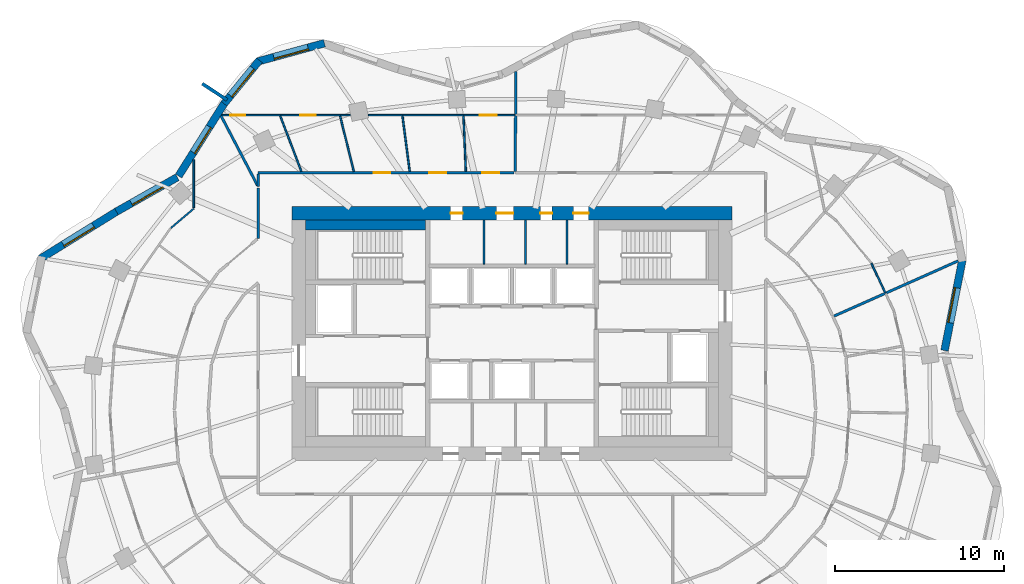
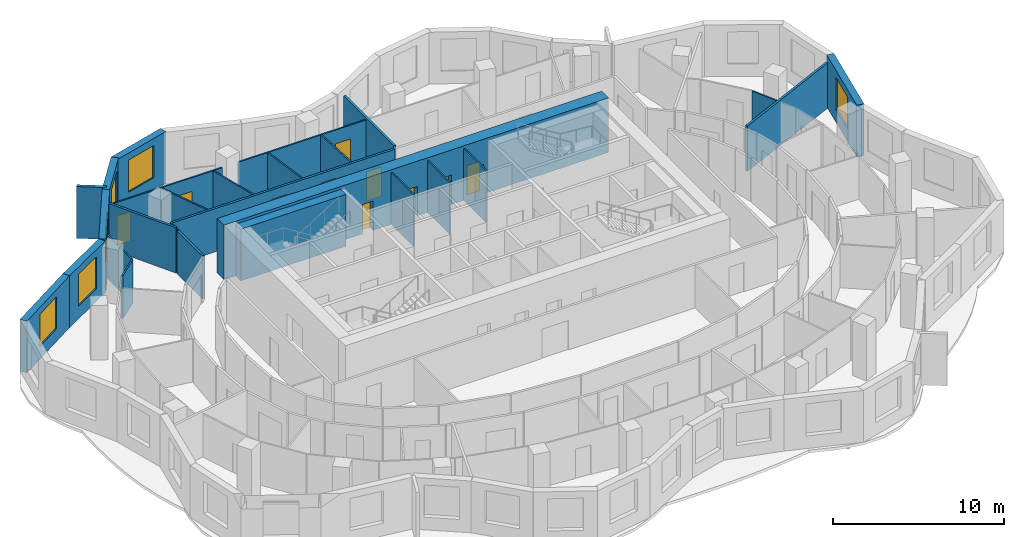
# One storey, part 8 of 11: 27 walls, 10 doors, 6 windows, 16 openings.
"""IFC4 building model written with IfcOpenShell, lengths in metres."""

from ifc_helpers import new_model, si_unit, direction, frame, frame_2d, origin, place, context, subcontext, project, spatial, rectangle, extrude, material, layer, layer_set, type_object, element, fill, save


model = new_model("IFC4")

# Units and contexts
model_context = context("Model", 3, precision=1e-05, world=origin(), true_north=direction((0.0, 1.0)))
body_context = subcontext(model_context, "Body", "Model", "MODEL_VIEW")
ifc_project = project(units=[si_unit("LENGTHUNIT", "METRE"), si_unit("AREAUNIT", "SQUARE_METRE"), si_unit("VOLUMEUNIT", "CUBIC_METRE"), si_unit("PLANEANGLEUNIT", "RADIAN"), si_unit("MASSUNIT", "GRAM", prefix="KILO")], contexts=[model_context])

# Site, building, storey
site_placement = place(None, origin())
site = spatial("IfcSite", under=ifc_project, at=site_placement, CompositionType="ELEMENT")
building_placement = place(site_placement, origin())
building = spatial("IfcBuilding", under=site, at=building_placement, Name="Rubra Terraces Tower", CompositionType="ELEMENT")
storey_placement = place(building_placement, frame((0.0, 0.0, 174.0)))
storey = spatial("IfcBuildingStorey", under=building, at=storey_placement, Name="L42", CompositionType="ELEMENT", Elevation=174.0)

# Wall, opening, window
ifc_material_1 = material(Name="Brick masonry red-brown", Category="masonry")
ifc_layer_1 = layer(ifc_material_1, 0.449951171875)
ifc_layer_set_1 = layer_set([ifc_layer_1], Name="Brick masonry red-brown")
wall_type_1 = type_object("IfcWallType", Name="Brick facade wall 450", PredefinedType="SOLIDWALL", material=ifc_layer_set_1)
wall_1_placement = place(storey_placement, frame((25.561279296875, 3.490478515625, 0.0), z_axis=(0.0, 0.0, 1.0), x_axis=(0.192494026297, 0.981298145234, 0.0)))
wall_1 = element("IfcWall", 1, at=wall_1_placement, inside=storey, type_object=wall_type_1, Name="Facade wall L42 bay 2", PredefinedType="SOLIDWALL", context=body_context, shape_type="SweptSolid", body=[
    extrude(rectangle(XDim=5.446044921875, YDim=0.449951171875, at=frame_2d((2.72314453125, 0.0))), origin(), (0.0, 0.0, 1.0), 3.699951171875),
])
opening_1_placement = place(wall_1_placement, frame((1.673095703125, 0.0, 0.89990234375)))
opening_1 = element("IfcOpeningElement", 2, at=opening_1_placement, cuts=wall_1, Name="Opening W1B", PredefinedType="OPENING", context=body_context, shape_type="SweptSolid", body=[
    extrude(rectangle(XDim=2.10009765625, YDim=2.300048828125, at=frame_2d((1.050048828125, 1.14990234375))), frame((0.0, 0.23486328125, 0.0), z_axis=(0.0, -1.0, 0.0), x_axis=(1.0, 0.0, 0.0)), (0.0, 0.0, 1.0), 0.469970703125),
])
ifc_material_2 = material(Name="Clear glass in aluminium frame", Category="aluminium")
window_type_1 = type_object("IfcWindowType", Name="Fixed deep-set window tall storey 2100 x 2300", PartitioningType="SINGLE_PANEL", PredefinedType="WINDOW", material=ifc_material_2)
window_1_placement = place(opening_1_placement, origin())
window_1 = element("IfcWindow", 3, at=window_1_placement, inside=storey, type_object=window_type_1, Name="Window L42 bay 2", OverallHeight=2.300048828125, OverallWidth=2.10009765625, PartitioningType="SINGLE_PANEL", PredefinedType="WINDOW", context=body_context, shape_type="SweptSolid", body=[
    extrude(rectangle(XDim=2.10009765625, YDim=2.300048828125, at=frame_2d((1.050048828125, 1.14990234375))), frame((0.0, 0.135009765625, 0.0), z_axis=(0.0, -1.0, 0.0), x_axis=(1.0, 0.0, 0.0)), (0.0, 0.0, 1.0), 0.06005859375),
])
fill(opening_1, window_1)

wall_2_placement = place(storey_placement, frame((-11.08251953125, 21.64990234375, 0.0), z_axis=(0.0, 0.0, 1.0), x_axis=(-0.964483204983, -0.264144179011, 0.0)))
wall_2 = element("IfcWall", 4, at=wall_2_placement, inside=storey, type_object=wall_type_1, Name="Facade wall L42 bay 14", PredefinedType="SOLIDWALL", context=body_context, shape_type="SweptSolid", body=[
    extrude(rectangle(XDim=4.103759765625, YDim=0.449951171875, at=frame_2d((2.0517578125, 0.0))), origin(), (0.0, 0.0, 1.0), 3.699951171875),
])
opening_2_placement = place(wall_2_placement, frame((1.001953125, 0.0, 0.89990234375)))
opening_2 = element("IfcOpeningElement", 5, at=opening_2_placement, cuts=wall_2, Name="Opening W1B", PredefinedType="OPENING", context=body_context, shape_type="SweptSolid", body=[
    extrude(rectangle(XDim=2.10009765625, YDim=2.300048828125, at=frame_2d((1.050048828125, 1.14990234375))), frame((0.0, 0.23486328125, 0.0), z_axis=(0.0, -1.0, 0.0), x_axis=(1.0, 0.0, 0.0)), (0.0, 0.0, 1.0), 0.469970703125),
])
window_2_placement = place(opening_2_placement, origin())
window_2 = element("IfcWindow", 6, at=window_2_placement, inside=storey, type_object=window_type_1, Name="Window L42 bay 14", OverallHeight=2.300048828125, OverallWidth=2.10009765625, PartitioningType="SINGLE_PANEL", PredefinedType="WINDOW", context=body_context, shape_type="SweptSolid", body=[
    extrude(rectangle(XDim=2.10009765625, YDim=2.300048828125, at=frame_2d((1.050048828125, 1.14990234375))), frame((0.0, 0.135009765625, 0.0), z_axis=(0.0, -1.0, 0.0), x_axis=(1.0, 0.0, 0.0)), (0.0, 0.0, 1.0), 0.06005859375),
])
fill(opening_2, window_2)

wall_3_placement = place(storey_placement, frame((-14.925537109375, 20.640869140625, 0.0), z_axis=(0.0, 0.0, 1.0), x_axis=(-0.631548074669, -0.775336720001, 0.0)))
wall_3 = element("IfcWall", 7, at=wall_3_placement, inside=storey, type_object=wall_type_1, Name="Facade wall L42 bay 15", PredefinedType="SOLIDWALL", context=body_context, shape_type="SweptSolid", body=[
    extrude(rectangle(XDim=3.3076171875, YDim=0.449951171875, at=frame_2d((1.65380859375, 0.0))), origin(), (0.0, 0.0, 1.0), 3.699951171875),
])
opening_3_placement = place(wall_3_placement, frame((0.603759765625, 0.0, 0.89990234375)))
opening_3 = element("IfcOpeningElement", 8, at=opening_3_placement, cuts=wall_3, Name="Opening W1B", PredefinedType="OPENING", context=body_context, shape_type="SweptSolid", body=[
    extrude(rectangle(XDim=2.10009765625, YDim=2.300048828125, at=frame_2d((1.050048828125, 1.14990234375))), frame((0.0, 0.23486328125, 0.0), z_axis=(0.0, -1.0, 0.0), x_axis=(1.0, 0.0, 0.0)), (0.0, 0.0, 1.0), 0.469970703125),
])
window_3_placement = place(opening_3_placement, origin())
window_3 = element("IfcWindow", 9, at=window_3_placement, inside=storey, type_object=window_type_1, Name="Window L42 bay 15", OverallHeight=2.300048828125, OverallWidth=2.10009765625, PartitioningType="SINGLE_PANEL", PredefinedType="WINDOW", context=body_context, shape_type="SweptSolid", body=[
    extrude(rectangle(XDim=2.10009765625, YDim=2.300048828125, at=frame_2d((1.050048828125, 1.14990234375))), frame((0.0, 0.135009765625, 0.0), z_axis=(0.0, -1.0, 0.0), x_axis=(1.0, 0.0, 0.0)), (0.0, 0.0, 1.0), 0.06005859375),
])
fill(opening_3, window_3)

wall_4_placement = place(storey_placement, frame((-16.998291015625, 18.0986328125, 0.0), z_axis=(0.0, 0.0, 1.0), x_axis=(-0.532745661304, -0.846275404559, 0.0)))
wall_4 = element("IfcWall", 10, at=wall_4_placement, inside=storey, type_object=wall_type_1, Name="Facade wall L42 bay 16", PredefinedType="SOLIDWALL", context=body_context, shape_type="SweptSolid", body=[
    extrude(rectangle(XDim=5.076171875, YDim=0.449951171875, at=frame_2d((2.5380859375, 0.0))), origin(), (0.0, 0.0, 1.0), 3.699951171875),
])
opening_4_placement = place(wall_4_placement, frame((1.63818359375, 0.0, 0.89990234375)))
opening_4 = element("IfcOpeningElement", 11, at=opening_4_placement, cuts=wall_4, Name="Opening W6B", PredefinedType="OPENING", context=body_context, shape_type="SweptSolid", body=[
    extrude(rectangle(XDim=1.800048828125, YDim=2.300048828125, at=frame_2d((0.89990234375, 1.14990234375))), frame((0.0, 0.23486328125, 0.0), z_axis=(0.0, -1.0, 0.0), x_axis=(1.0, 0.0, 0.0)), (0.0, 0.0, 1.0), 0.469970703125),
])
window_type_2 = type_object("IfcWindowType", Name="Fixed deep-set window at wind fin tall storey 1800 x 2300", PartitioningType="SINGLE_PANEL", PredefinedType="WINDOW", material=ifc_material_2)
window_4_placement = place(opening_4_placement, origin())
window_4 = element("IfcWindow", 12, at=window_4_placement, inside=storey, type_object=window_type_2, Name="Window L42 bay 16", OverallHeight=2.300048828125, OverallWidth=1.800048828125, PartitioningType="SINGLE_PANEL", PredefinedType="WINDOW", context=body_context, shape_type="SweptSolid", body=[
    extrude(rectangle(XDim=1.800048828125, YDim=2.300048828125, at=frame_2d((0.89990234375, 1.14990234375))), frame((0.0, 0.135009765625, 0.0), z_axis=(0.0, -1.0, 0.0), x_axis=(1.0, 0.0, 0.0)), (0.0, 0.0, 1.0), 0.06005859375),
])
fill(opening_4, window_4)

wall_5_placement = place(storey_placement, frame((-19.77587890625, 13.730712890625, 0.0), z_axis=(0.0, 0.0, 1.0), x_axis=(-0.870610133829, -0.491973571318, 0.0)))
wall_5 = element("IfcWall", 13, at=wall_5_placement, inside=storey, type_object=wall_type_1, Name="Facade wall L42 bay 17", PredefinedType="SOLIDWALL", context=body_context, shape_type="SweptSolid", body=[
    extrude(rectangle(XDim=4.1337890625, YDim=0.449951171875, at=frame_2d((2.06689453125, 0.0))), origin(), (0.0, 0.0, 1.0), 3.699951171875),
])
opening_5_placement = place(wall_5_placement, frame((1.016845703125, 0.0, 0.89990234375)))
opening_5 = element("IfcOpeningElement", 14, at=opening_5_placement, cuts=wall_5, Name="Opening W1B", PredefinedType="OPENING", context=body_context, shape_type="SweptSolid", body=[
    extrude(rectangle(XDim=2.10009765625, YDim=2.300048828125, at=frame_2d((1.050048828125, 1.14990234375))), frame((0.0, 0.23486328125, 0.0), z_axis=(0.0, -1.0, 0.0), x_axis=(1.0, 0.0, 0.0)), (0.0, 0.0, 1.0), 0.469970703125),
])
window_5_placement = place(opening_5_placement, origin())
window_5 = element("IfcWindow", 15, at=window_5_placement, inside=storey, type_object=window_type_1, Name="Window L42 bay 17", OverallHeight=2.300048828125, OverallWidth=2.10009765625, PartitioningType="SINGLE_PANEL", PredefinedType="WINDOW", context=body_context, shape_type="SweptSolid", body=[
    extrude(rectangle(XDim=2.10009765625, YDim=2.300048828125, at=frame_2d((1.050048828125, 1.14990234375))), frame((0.0, 0.135009765625, 0.0), z_axis=(0.0, -1.0, 0.0), x_axis=(1.0, 0.0, 0.0)), (0.0, 0.0, 1.0), 0.06005859375),
])
fill(opening_5, window_5)

wall_6_placement = place(storey_placement, frame((-23.368408203125, 11.700927734375, 0.0), z_axis=(0.0, 0.0, 1.0), x_axis=(-0.850251408633, -0.526376806211, 0.0)))
wall_6 = element("IfcWall", 16, at=wall_6_placement, inside=storey, type_object=wall_type_1, Name="Facade wall L42 bay 18", PredefinedType="SOLIDWALL", context=body_context, shape_type="SweptSolid", body=[
    extrude(rectangle(XDim=5.30224609375, YDim=0.449951171875, at=frame_2d((2.651123046875, 0.0))), origin(), (0.0, 0.0, 1.0), 3.699951171875),
])
opening_6_placement = place(wall_6_placement, frame((1.601318359375, 0.0, 0.89990234375)))
opening_6 = element("IfcOpeningElement", 17, at=opening_6_placement, cuts=wall_6, Name="Opening W1B", PredefinedType="OPENING", context=body_context, shape_type="SweptSolid", body=[
    extrude(rectangle(XDim=2.10009765625, YDim=2.300048828125, at=frame_2d((1.050048828125, 1.14990234375))), frame((0.0, 0.23486328125, 0.0), z_axis=(0.0, -1.0, 0.0), x_axis=(1.0, 0.0, 0.0)), (0.0, 0.0, 1.0), 0.469970703125),
])
window_6_placement = place(opening_6_placement, origin())
window_6 = element("IfcWindow", 18, at=window_6_placement, inside=storey, type_object=window_type_1, Name="Window L42 bay 18", OverallHeight=2.300048828125, OverallWidth=2.10009765625, PartitioningType="SINGLE_PANEL", PredefinedType="WINDOW", context=body_context, shape_type="SweptSolid", body=[
    extrude(rectangle(XDim=2.10009765625, YDim=2.300048828125, at=frame_2d((1.050048828125, 1.14990234375))), frame((0.0, 0.135009765625, 0.0), z_axis=(0.0, -1.0, 0.0), x_axis=(1.0, 0.0, 0.0)), (0.0, 0.0, 1.0), 0.06005859375),
])
fill(opening_6, window_6)

# Wall
ifc_layer_2 = layer(ifc_material_1, 0.199951171875)
ifc_layer_set_2 = layer_set([ifc_layer_2], Name="Brick masonry red-brown")
wall_type_2 = type_object("IfcWallType", Name="Brick wind fin 200", PredefinedType="SOLIDWALL", material=ifc_layer_set_2)
wall_7_placement = place(storey_placement, frame((-16.837890625, 18.298095703125, 0.0), z_axis=(0.0, 0.0, 1.0), x_axis=(-0.835871900419, 0.548924554097, 0.0)))
element("IfcWall", 19, at=wall_7_placement, inside=storey, type_object=wall_type_2, Name="Wind fin L42 9", PredefinedType="SOLIDWALL", context=body_context, shape_type="SweptSolid", body=[
    extrude(rectangle(XDim=1.750244140625, YDim=0.199951171875, at=frame_2d((0.875, 0.0))), origin(), (0.0, 0.0, 1.0), 3.699951171875),
])

# Wall, openings, doors
ifc_material_3 = material(Name="Concrete C50", Category="concrete")
ifc_layer_3 = layer(ifc_material_3, 0.800048828125)
ifc_layer_set_3 = layer_set([ifc_layer_3], Name="Concrete C50")
wall_type_3 = type_object("IfcWallType", Name="CORE WALL 800 C50", PredefinedType="SHEAR", material=ifc_layer_set_3)
wall_8_placement = place(storey_placement, frame((-13.0, 11.60009765625, 0.0), z_axis=(0.0, 0.0, 1.0), x_axis=(1.0, 0.0, 0.0)))
wall_8 = element("IfcWall", 20, at=wall_8_placement, inside=storey, type_object=wall_type_3, Name="CORE WALL N L42", PredefinedType="SHEAR", context=body_context, shape_type="SweptSolid", body=[
    extrude(rectangle(XDim=26.0, YDim=0.800048828125, at=frame_2d((13.0, 0.0))), origin(), (0.0, 0.0, 1.0), 3.89990234375),
])
opening_7_placement = place(wall_8_placement, frame((9.375, 0.0, 0.0)))
opening_7 = element("IfcOpeningElement", 21, at=opening_7_placement, cuts=wall_8, Name="Opening L42.C25", PredefinedType="OPENING", context=body_context, shape_type="SweptSolid", body=[
    extrude(rectangle(XDim=0.699951171875, YDim=2.10009765625, at=frame_2d((0.35009765625, 1.050048828125))), frame((0.0, 0.409912109375, 0.0), z_axis=(0.0, -1.0, 0.0), x_axis=(1.0, 0.0, 0.0)), (0.0, 0.0, 1.0), 0.820068359375),
])
opening_8_placement = place(wall_8_placement, frame((12.074951171875, 0.0, 0.0)))
opening_8 = element("IfcOpeningElement", 22, at=opening_8_placement, cuts=wall_8, Name="Opening L42.C26", PredefinedType="OPENING", context=body_context, shape_type="SweptSolid", body=[
    extrude(rectangle(XDim=1.0, YDim=2.10009765625, at=frame_2d((0.5, 1.050048828125))), frame((0.0, 0.409912109375, 0.0), z_axis=(0.0, -1.0, 0.0), x_axis=(1.0, 0.0, 0.0)), (0.0, 0.0, 1.0), 0.820068359375),
])
opening_9_placement = place(wall_8_placement, frame((14.675048828125, 0.0, 0.0)))
opening_9 = element("IfcOpeningElement", 23, at=opening_9_placement, cuts=wall_8, Name="Opening L42.C27", PredefinedType="OPENING", context=body_context, shape_type="SweptSolid", body=[
    extrude(rectangle(XDim=0.699951171875, YDim=2.10009765625, at=frame_2d((0.35009765625, 1.050048828125))), frame((0.0, 0.409912109375, 0.0), z_axis=(0.0, -1.0, 0.0), x_axis=(1.0, 0.0, 0.0)), (0.0, 0.0, 1.0), 0.820068359375),
])
opening_10_placement = place(wall_8_placement, frame((16.625, 0.0, 0.0)))
opening_10 = element("IfcOpeningElement", 24, at=opening_10_placement, cuts=wall_8, Name="Opening L42.C28", PredefinedType="OPENING", context=body_context, shape_type="SweptSolid", body=[
    extrude(rectangle(XDim=0.89990234375, YDim=2.10009765625, at=frame_2d((0.449951171875, 1.050048828125))), frame((0.0, 0.409912109375, 0.0), z_axis=(0.0, -1.0, 0.0), x_axis=(1.0, 0.0, 0.0)), (0.0, 0.0, 1.0), 0.820068359375),
])
ifc_material_4 = material(Name="Painted steel", Category="steel")
door_type_1 = type_object("IfcDoorType", Name="Fire door 1000x2100 single", OperationType="NOTDEFINED", PredefinedType="DOOR", material=ifc_material_4)
door_1_placement = place(opening_8_placement, origin())
door_1 = element("IfcDoor", 25, at=door_1_placement, inside=storey, type_object=door_type_1, Name="General store door", OperationType="SINGLE_SWING_RIGHT", OverallHeight=2.10009765625, OverallWidth=1.0, PredefinedType="DOOR", context=body_context, shape_type="SweptSolid", body=[
    extrude(rectangle(XDim=1.0, YDim=2.10009765625, at=frame_2d((0.5, 1.050048828125))), frame((0.0, 0.02490234375, 0.0), z_axis=(0.0, -1.0, 0.0), x_axis=(1.0, 0.0, 0.0)), (0.0, 0.0, 1.0), 0.050048828125),
])
fill(opening_8, door_1)
door_type_2 = type_object("IfcDoorType", Name="Fire door 900x2100 single", OperationType="NOTDEFINED", PredefinedType="DOOR", material=ifc_material_4)
door_2_placement = place(opening_10_placement, origin())
door_2 = element("IfcDoor", 26, at=door_2_placement, inside=storey, type_object=door_type_2, Name="Cleaner's store door", OperationType="SINGLE_SWING_RIGHT", OverallHeight=2.10009765625, OverallWidth=0.89990234375, PredefinedType="DOOR", context=body_context, shape_type="SweptSolid", body=[
    extrude(rectangle(XDim=0.89990234375, YDim=2.10009765625, at=frame_2d((0.449951171875, 1.050048828125))), frame((0.0, 0.02490234375, 0.0), z_axis=(0.0, -1.0, 0.0), x_axis=(1.0, 0.0, 0.0)), (0.0, 0.0, 1.0), 0.050048828125),
])
fill(opening_10, door_2)
door_type_3 = type_object("IfcDoorType", Name="Riser access door 700x2100 single", OperationType="NOTDEFINED", PredefinedType="DOOR", material=ifc_material_4)
door_3_placement = place(opening_7_placement, origin())
door_3 = element("IfcDoor", 27, at=door_3_placement, inside=storey, type_object=door_type_3, Name="Telecoms room door", OperationType="SINGLE_SWING_LEFT", OverallHeight=2.10009765625, OverallWidth=0.699951171875, PredefinedType="DOOR", context=body_context, shape_type="SweptSolid", body=[
    extrude(rectangle(XDim=0.699951171875, YDim=2.10009765625, at=frame_2d((0.35009765625, 1.050048828125))), frame((0.0, 0.02490234375, 0.0), z_axis=(0.0, -1.0, 0.0), x_axis=(1.0, 0.0, 0.0)), (0.0, 0.0, 1.0), 0.050048828125),
])
fill(opening_7, door_3)
door_4_placement = place(opening_9_placement, origin())
door_4 = element("IfcDoor", 28, at=door_4_placement, inside=storey, type_object=door_type_3, Name="Electrical riser room door", OperationType="SINGLE_SWING_LEFT", OverallHeight=2.10009765625, OverallWidth=0.699951171875, PredefinedType="DOOR", context=body_context, shape_type="SweptSolid", body=[
    extrude(rectangle(XDim=0.699951171875, YDim=2.10009765625, at=frame_2d((0.35009765625, 1.050048828125))), frame((0.0, 0.02490234375, 0.0), z_axis=(0.0, -1.0, 0.0), x_axis=(1.0, 0.0, 0.0)), (0.0, 0.0, 1.0), 0.050048828125),
])
fill(opening_9, door_4)

ifc_material_5 = material(Name="Plasterboard on steel stud, mineral wool infill", Category="steel")
ifc_layer_4 = layer(ifc_material_5, 0.14990234375)
ifc_layer_set_4 = layer_set([ifc_layer_4], Name="Plasterboard on steel stud, mineral wool infill")
wall_type_4 = type_object("IfcWallType", Name="CORRIDOR PARTITION 150", PredefinedType="PARTITIONING", material=ifc_layer_set_4)
wall_9_placement = place(storey_placement, frame((0.125244140625, 14.0, 0.0), z_axis=(0.0, 0.0, 1.0), x_axis=(-1.0, 0.0, 0.0)))
wall_9 = element("IfcWall", 29, at=wall_9_placement, inside=storey, type_object=wall_type_4, Name="PARTITION", PredefinedType="PARTITIONING", context=body_context, shape_type="SweptSolid", body=[
    extrude(rectangle(XDim=15.125244140625, YDim=0.14990234375, at=frame_2d((7.5625, 0.0))), origin(), (0.0, 0.0, 1.0), 3.083984375),
])
opening_11_placement = place(wall_9_placement, frame((0.887939453125, 0.0, 0.0)))
opening_11 = element("IfcOpeningElement", 30, at=opening_11_placement, cuts=wall_9, Name="Opening 42-104", PredefinedType="OPENING", context=body_context, shape_type="SweptSolid", body=[
    extrude(rectangle(XDim=1.0, YDim=2.10009765625, at=frame_2d((0.5, 1.050048828125))), frame((0.0, 0.0849609375, 0.0), z_axis=(0.0, -1.0, 0.0), x_axis=(1.0, 0.0, 0.0)), (0.0, 0.0, 1.0), 0.169921875),
])
opening_12_placement = place(wall_9_placement, frame((4.0048828125, 0.0, 0.0)))
opening_12 = element("IfcOpeningElement", 31, at=opening_12_placement, cuts=wall_9, Name="Opening 42-106", PredefinedType="OPENING", context=body_context, shape_type="SweptSolid", body=[
    extrude(rectangle(XDim=1.0, YDim=2.39990234375, at=frame_2d((0.5, 1.199951171875))), frame((0.0, 0.0849609375, 0.0), z_axis=(0.0, -1.0, 0.0), x_axis=(1.0, 0.0, 0.0)), (0.0, 0.0, 1.0), 0.169921875),
])
opening_13_placement = place(wall_9_placement, frame((7.306884765625, 0.0, 0.0)))
opening_13 = element("IfcOpeningElement", 32, at=opening_13_placement, cuts=wall_9, Name="Opening 42-107", PredefinedType="OPENING", context=body_context, shape_type="SweptSolid", body=[
    extrude(rectangle(XDim=1.0, YDim=2.39990234375, at=frame_2d((0.5, 1.199951171875))), frame((0.0, 0.0849609375, 0.0), z_axis=(0.0, -1.0, 0.0), x_axis=(1.0, 0.0, 0.0)), (0.0, 0.0, 1.0), 0.169921875),
])
ifc_material_6 = material(Name="Glazed aluminium meeting door leaf", Category="aluminium")
door_type_4 = type_object("IfcDoorType", Name="MEETING ROOM GLAZED DOOR 1000 X 2400", OperationType="SINGLE_SWING_LEFT", PredefinedType="DOOR", material=ifc_material_6)
door_5_placement = place(opening_12_placement, origin())
door_5 = element("IfcDoor", 33, at=door_5_placement, inside=storey, type_object=door_type_4, Name="DOOR 42-106", OperationType="SINGLE_SWING_RIGHT", OverallHeight=2.39990234375, OverallWidth=1.0, PredefinedType="DOOR", context=body_context, shape_type="SweptSolid", body=[
    extrude(rectangle(XDim=1.0, YDim=2.39990234375, at=frame_2d((0.5, 1.199951171875))), frame((0.0, 0.02490234375, 0.0), z_axis=(0.0, -1.0, 0.0), x_axis=(1.0, 0.0, 0.0)), (0.0, 0.0, 1.0), 0.050048828125),
])
fill(opening_12, door_5)
door_6_placement = place(opening_13_placement, origin())
door_6 = element("IfcDoor", 34, at=door_6_placement, inside=storey, type_object=door_type_4, Name="DOOR 42-107", OperationType="SINGLE_SWING_RIGHT", OverallHeight=2.39990234375, OverallWidth=1.0, PredefinedType="DOOR", context=body_context, shape_type="SweptSolid", body=[
    extrude(rectangle(XDim=1.0, YDim=2.39990234375, at=frame_2d((0.5, 1.199951171875))), frame((0.0, 0.02490234375, 0.0), z_axis=(0.0, -1.0, 0.0), x_axis=(1.0, 0.0, 0.0)), (0.0, 0.0, 1.0), 0.050048828125),
])
fill(opening_13, door_6)
ifc_material_7 = material(Name="Painted timber door leaf", Category="wood")
door_type_5 = type_object("IfcDoorType", Name="ROOM DOOR 1000 X 2100", OperationType="SINGLE_SWING_LEFT", PredefinedType="DOOR", material=ifc_material_7)
door_7_placement = place(opening_11_placement, origin())
door_7 = element("IfcDoor", 35, at=door_7_placement, inside=storey, type_object=door_type_5, Name="DOOR 42-104", OperationType="SINGLE_SWING_RIGHT", OverallHeight=2.10009765625, OverallWidth=1.0, PredefinedType="DOOR", context=body_context, shape_type="SweptSolid", body=[
    extrude(rectangle(XDim=1.0, YDim=2.10009765625, at=frame_2d((0.5, 1.050048828125))), frame((0.0, 0.02490234375, 0.0), z_axis=(0.0, -1.0, 0.0), x_axis=(1.0, 0.0, 0.0)), (0.0, 0.0, 1.0), 0.050048828125),
])
fill(opening_11, door_7)

# Walls
wall_10_placement = place(storey_placement, frame((-15.0, 13.925048828125, 0.0), z_axis=(0.0, 0.0, 1.0), x_axis=(0.0, -1.0, 0.0)))
element("IfcWall", 36, at=wall_10_placement, inside=storey, type_object=wall_type_4, Name="PARTITION", PredefinedType="PARTITIONING", context=body_context, shape_type="SweptSolid", body=[
    extrude(rectangle(XDim=0.75146484375, YDim=0.14990234375, at=frame_2d((0.375732421875, 0.0))), origin(), (0.0, 0.0, 1.0), 3.083984375),
])
wall_11_placement = place(storey_placement, frame((-15.0, 13.0986328125, 0.0), z_axis=(0.0, 0.0, 1.0), x_axis=(0.0, -1.0, 0.0)))
element("IfcWall", 37, at=wall_11_placement, inside=storey, type_object=wall_type_4, Name="PARTITION", PredefinedType="PARTITIONING", context=body_context, shape_type="SweptSolid", body=[
    extrude(rectangle(XDim=2.97705078125, YDim=0.14990234375, at=frame_2d((1.488525390625, 0.0))), origin(), (0.0, 0.0, 1.0), 3.083984375),
])
ifc_material_8 = material(Name="Concrete C40", Category="concrete")
ifc_layer_5 = layer(ifc_material_8, 0.60009765625)
ifc_layer_set_5 = layer_set([ifc_layer_5], Name="Concrete C40")
wall_type_5 = type_object("IfcWallType", Name="Core lining wall 600 concrete", PredefinedType="SOLIDWALL", material=ifc_layer_set_5)
wall_12_placement = place(storey_placement, frame((-12.199951171875, 10.89990234375, 0.0), z_axis=(0.0, 0.0, 1.0), x_axis=(1.0, 0.0, 0.0)))
element("IfcWall", 38, at=wall_12_placement, inside=storey, type_object=wall_type_5, Name="CORE LINING WALL L42", PredefinedType="SOLIDWALL", context=body_context, shape_type="SweptSolid", body=[
    extrude(rectangle(XDim=7.099853515625, YDim=0.60009765625, at=frame_2d((3.5498046875, 0.0))), origin(), (0.0, 0.0, 1.0), 3.699951171875),
])

# Wall, openings, doors
ifc_material_9 = material(Name="Plasterboard on steel stud", Category="steel")
ifc_layer_6 = layer(ifc_material_9, 0.10009765625)
ifc_layer_set_6 = layer_set([ifc_layer_6], Name="Plasterboard on steel stud")
wall_type_6 = type_object("IfcWallType", Name="ROOM PARTITION 100", PredefinedType="PARTITIONING", material=ifc_layer_set_6)
wall_13_placement = place(storey_placement, frame((-17.148681640625, 17.39990234375, 0.0), z_axis=(0.0, 0.0, 1.0), x_axis=(1.0, 0.0, 0.0)))
wall_13 = element("IfcWall", 39, at=wall_13_placement, inside=storey, type_object=wall_type_6, Name="PARTITION", PredefinedType="PARTITIONING", context=body_context, shape_type="SweptSolid", body=[
    extrude(rectangle(XDim=7.602294921875, YDim=0.10009765625, at=frame_2d((3.80126953125, 0.0))), origin(), (0.0, 0.0, 1.0), 3.083984375),
])
opening_14_placement = place(wall_13_placement, frame((4.64306640625, 0.0, 0.0)))
opening_14 = element("IfcOpeningElement", 40, at=opening_14_placement, cuts=wall_13, Name="Opening 42-108", PredefinedType="OPENING", context=body_context, shape_type="SweptSolid", body=[
    extrude(rectangle(XDim=0.89990234375, YDim=2.10009765625, at=frame_2d((0.449951171875, 1.050048828125))), frame((0.0, 0.06005859375, 0.0), z_axis=(0.0, -1.0, 0.0), x_axis=(1.0, 0.0, 0.0)), (0.0, 0.0, 1.0), 0.1201171875),
])
opening_15_placement = place(wall_13_placement, frame((0.5, 0.0, 0.0)))
opening_15 = element("IfcOpeningElement", 41, at=opening_15_placement, cuts=wall_13, Name="Opening 42-109", PredefinedType="OPENING", context=body_context, shape_type="SweptSolid", body=[
    extrude(rectangle(XDim=0.89990234375, YDim=2.10009765625, at=frame_2d((0.449951171875, 1.050048828125))), frame((0.0, 0.06005859375, 0.0), z_axis=(0.0, -1.0, 0.0), x_axis=(1.0, 0.0, 0.0)), (0.0, 0.0, 1.0), 0.1201171875),
])
door_type_6 = type_object("IfcDoorType", Name="ROOM DOOR 900 X 2100", OperationType="SINGLE_SWING_LEFT", PredefinedType="DOOR", material=ifc_material_7)
door_8_placement = place(opening_14_placement, origin())
door_8 = element("IfcDoor", 42, at=door_8_placement, inside=storey, type_object=door_type_6, Name="DOOR 42-108", OperationType="SINGLE_SWING_LEFT", OverallHeight=2.10009765625, OverallWidth=0.89990234375, PredefinedType="DOOR", context=body_context, shape_type="SweptSolid", body=[
    extrude(rectangle(XDim=0.89990234375, YDim=2.10009765625, at=frame_2d((0.449951171875, 1.050048828125))), frame((0.0, 0.02490234375, 0.0), z_axis=(0.0, -1.0, 0.0), x_axis=(1.0, 0.0, 0.0)), (0.0, 0.0, 1.0), 0.050048828125),
])
fill(opening_14, door_8)
door_9_placement = place(opening_15_placement, origin())
door_9 = element("IfcDoor", 43, at=door_9_placement, inside=storey, type_object=door_type_6, Name="DOOR 42-109", OperationType="SINGLE_SWING_LEFT", OverallHeight=2.10009765625, OverallWidth=0.89990234375, PredefinedType="DOOR", context=body_context, shape_type="SweptSolid", body=[
    extrude(rectangle(XDim=0.89990234375, YDim=2.10009765625, at=frame_2d((0.449951171875, 1.050048828125))), frame((0.0, 0.02490234375, 0.0), z_axis=(0.0, -1.0, 0.0), x_axis=(1.0, 0.0, 0.0)), (0.0, 0.0, 1.0), 0.050048828125),
])
fill(opening_15, door_9)

# Wall, opening, door
wall_14_placement = place(storey_placement, frame((-8.482666015625, 17.39990234375, 0.0), z_axis=(0.0, 0.0, 1.0), x_axis=(1.0, 0.0, 0.0)))
wall_14 = element("IfcWall", 44, at=wall_14_placement, inside=storey, type_object=wall_type_6, Name="PARTITION", PredefinedType="PARTITIONING", context=body_context, shape_type="SweptSolid", body=[
    extrude(rectangle(XDim=8.6708984375, YDim=0.10009765625, at=frame_2d((4.33544921875, 0.0))), origin(), (0.0, 0.0, 1.0), 3.083984375),
])
opening_16_placement = place(wall_14_placement, frame((6.58203125, 0.0, 0.0)))
opening_16 = element("IfcOpeningElement", 45, at=opening_16_placement, cuts=wall_14, Name="Opening 42-105", PredefinedType="OPENING", context=body_context, shape_type="SweptSolid", body=[
    extrude(rectangle(XDim=1.0, YDim=2.10009765625, at=frame_2d((0.5, 1.050048828125))), frame((0.0, 0.06005859375, 0.0), z_axis=(0.0, -1.0, 0.0), x_axis=(1.0, 0.0, 0.0)), (0.0, 0.0, 1.0), 0.1201171875),
])
door_10_placement = place(opening_16_placement, origin())
door_10 = element("IfcDoor", 46, at=door_10_placement, inside=storey, type_object=door_type_5, Name="DOOR 42-105", OperationType="SINGLE_SWING_LEFT", OverallHeight=2.10009765625, OverallWidth=1.0, PredefinedType="DOOR", context=body_context, shape_type="SweptSolid", body=[
    extrude(rectangle(XDim=1.0, YDim=2.10009765625, at=frame_2d((0.5, 1.050048828125))), frame((0.0, 0.02490234375, 0.0), z_axis=(0.0, -1.0, 0.0), x_axis=(1.0, 0.0, 0.0)), (0.0, 0.0, 1.0), 0.050048828125),
])
fill(opening_16, door_10)

# Walls
wall_15_placement = place(storey_placement, frame((-2.728515625, 14.074951171875, 0.0), z_axis=(0.0, 0.0, 1.0), x_axis=(-0.042005382394, 0.99911738442, 0.0)))
element("IfcWall", 47, at=wall_15_placement, inside=storey, type_object=wall_type_6, Name="PARTITION", PredefinedType="PARTITIONING", context=body_context, shape_type="SweptSolid", body=[
    extrude(rectangle(XDim=3.278076171875, YDim=0.10009765625, at=frame_2d((1.63916015625, 0.0))), origin(), (0.0, 0.0, 1.0), 3.083984375),
])
wall_16_placement = place(storey_placement, frame((-6.043212890625, 14.074462890625, 0.0), z_axis=(0.0, 0.0, 1.0), x_axis=(-0.12990779889, 0.991526078219, 0.0)))
element("IfcWall", 48, at=wall_16_placement, inside=storey, type_object=wall_type_6, Name="PARTITION", PredefinedType="PARTITIONING", context=body_context, shape_type="SweptSolid", body=[
    extrude(rectangle(XDim=3.303955078125, YDim=0.10009765625, at=frame_2d((1.65185546875, 0.0))), origin(), (0.0, 0.0, 1.0), 3.083984375),
])
wall_17_placement = place(storey_placement, frame((-9.347412109375, 14.07275390625, 0.0), z_axis=(0.0, 0.0, 1.0), x_axis=(-0.239847329474, 0.970810619299, 0.0)))
element("IfcWall", 49, at=wall_17_placement, inside=storey, type_object=wall_type_6, Name="PARTITION", PredefinedType="PARTITIONING", context=body_context, shape_type="SweptSolid", body=[
    extrude(rectangle(XDim=3.37744140625, YDim=0.10009765625, at=frame_2d((1.688720703125, 0.0))), origin(), (0.0, 0.0, 1.0), 3.083984375),
])
wall_18_placement = place(storey_placement, frame((-12.447021484375, 14.070068359375, 0.0), z_axis=(0.0, 0.0, 1.0), x_axis=(-0.354534757725, 0.935042836219, 0.0)))
element("IfcWall", 50, at=wall_18_placement, inside=storey, type_object=wall_type_6, Name="PARTITION", PredefinedType="PARTITIONING", context=body_context, shape_type="SweptSolid", body=[
    extrude(rectangle(XDim=3.51123046875, YDim=0.10009765625, at=frame_2d((1.755615234375, 0.0))), origin(), (0.0, 0.0, 1.0), 3.083984375),
])
wall_19_placement = place(storey_placement, frame((-20.1513671875, 10.733642578125, 0.0), z_axis=(0.0, 0.0, 1.0), x_axis=(0.762465888028, 0.647028414827, 0.0)))
element("IfcWall", 51, at=wall_19_placement, inside=storey, type_object=wall_type_6, Name="PARTITION", PredefinedType="PARTITIONING", context=body_context, shape_type="SweptSolid", body=[
    extrude(rectangle(XDim=1.772216796875, YDim=0.10009765625, at=frame_2d((0.88623046875, 0.0))), origin(), (0.0, 0.0, 1.0), 3.083984375),
])
wall_20_placement = place(storey_placement, frame((-18.800048828125, 11.930419921875, 0.0), z_axis=(0.0, 0.0, 1.0), x_axis=(0.0, 1.0, 0.0)))
element("IfcWall", 52, at=wall_20_placement, inside=storey, type_object=wall_type_6, Name="PARTITION", PredefinedType="PARTITIONING", context=body_context, shape_type="SweptSolid", body=[
    extrude(rectangle(XDim=2.846435546875, YDim=0.10009765625, at=frame_2d((1.42333984375, 0.0))), origin(), (0.0, 0.0, 1.0), 3.083984375),
])
wall_21_placement = place(storey_placement, frame((21.233642578125, 8.644287109375, 0.0), z_axis=(0.0, 0.0, 1.0), x_axis=(0.428183987328, -0.903691580682, 0.0)))
element("IfcWall", 53, at=wall_21_placement, inside=storey, type_object=wall_type_6, Name="PARTITION", PredefinedType="PARTITIONING", context=body_context, shape_type="SweptSolid", body=[
    extrude(rectangle(XDim=1.9345703125, YDim=0.10009765625, at=frame_2d((0.96728515625, 0.0))), origin(), (0.0, 0.0, 1.0), 3.083984375),
])
ifc_layer_7 = layer(ifc_material_9, 0.14990234375)
ifc_layer_set_7 = layer_set([ifc_layer_7], Name="Plasterboard on steel stud")
wall_type_7 = type_object("IfcWallType", Name="ROOM PARTITION 150", PredefinedType="PARTITIONING", material=ifc_layer_set_7)
wall_22_placement = place(storey_placement, frame((0.21435546875, 19.978759765625, 0.0), z_axis=(0.0, 0.0, 1.0), x_axis=(-0.002357118586, -0.999997221992, 0.0)))
element("IfcWall", 54, at=wall_22_placement, inside=storey, type_object=wall_type_7, Name="PARTITION", PredefinedType="PARTITIONING", context=body_context, shape_type="SweptSolid", body=[
    extrude(rectangle(XDim=5.90380859375, YDim=0.14990234375, at=frame_2d((2.951904296875, 0.0))), origin(), (0.0, 0.0, 1.0), 3.23388671875),
])
wall_23_placement = place(storey_placement, frame((-17.19287109375, 17.35986328125, 0.0), z_axis=(0.0, 0.0, 1.0), x_axis=(0.463995225493, -0.885837699988, 0.0)))
element("IfcWall", 55, at=wall_23_placement, inside=storey, type_object=wall_type_7, Name="PARTITION", PredefinedType="PARTITIONING", context=body_context, shape_type="SweptSolid", body=[
    extrude(rectangle(XDim=4.65087890625, YDim=0.14990234375, at=frame_2d((2.325439453125, 0.0))), origin(), (0.0, 0.0, 1.0), 3.23388671875),
])
wall_24_placement = place(storey_placement, frame((26.3671875, 8.789306640625, 0.0), z_axis=(0.0, 0.0, 1.0), x_axis=(-0.913673557468, -0.406448804137, 0.0)))
element("IfcWall", 56, at=wall_24_placement, inside=storey, type_object=wall_type_7, Name="PARTITION", PredefinedType="PARTITIONING", context=body_context, shape_type="SweptSolid", body=[
    extrude(rectangle(XDim=8.028564453125, YDim=0.14990234375, at=frame_2d((4.01416015625, 0.0))), origin(), (0.0, 0.0, 1.0), 3.23388671875),
])
ifc_material_10 = material(Name="Blockwork", Category="masonry")
ifc_layer_8 = layer(ifc_material_10, 0.10009765625)
ifc_layer_set_8 = layer_set([ifc_layer_8], Name="Blockwork")
wall_type_8 = type_object("IfcWallType", Name="Service partition 100 blockwork", PredefinedType="PARTITIONING", material=ifc_layer_set_8)
for number, where, z_axis, x_axis, name in (
    (57, (-1.64990234375, 8.60009765625, 0.0), (0.0, 0.0, 1.0), (0.0, 1.0, 0.0), "SERVICE ROOM PARTITION L42"),
    (58, (0.800048828125, 8.60009765625, 0.0), (0.0, 0.0, 1.0), (0.0, 1.0, 0.0), "SERVICE ROOM PARTITION L42"),
    (59, (3.25, 8.60009765625, 0.0), (0.0, 0.0, 1.0), (0.0, 1.0, 0.0), "SERVICE ROOM PARTITION L42"),
):
    element("IfcWall", number, at=place(storey_placement, frame(where, z_axis=z_axis, x_axis=x_axis)), inside=storey, type_object=wall_type_8, Name=name, PredefinedType="PARTITIONING", context=body_context, shape_type="SweptSolid", body=[
        extrude(rectangle(XDim=2.599853515625, YDim=0.10009765625, at=frame_2d((1.2998046875, 0.0))), origin(), (0.0, 0.0, 1.0), 3.699951171875),
    ])

save(model, "model.ifc")
